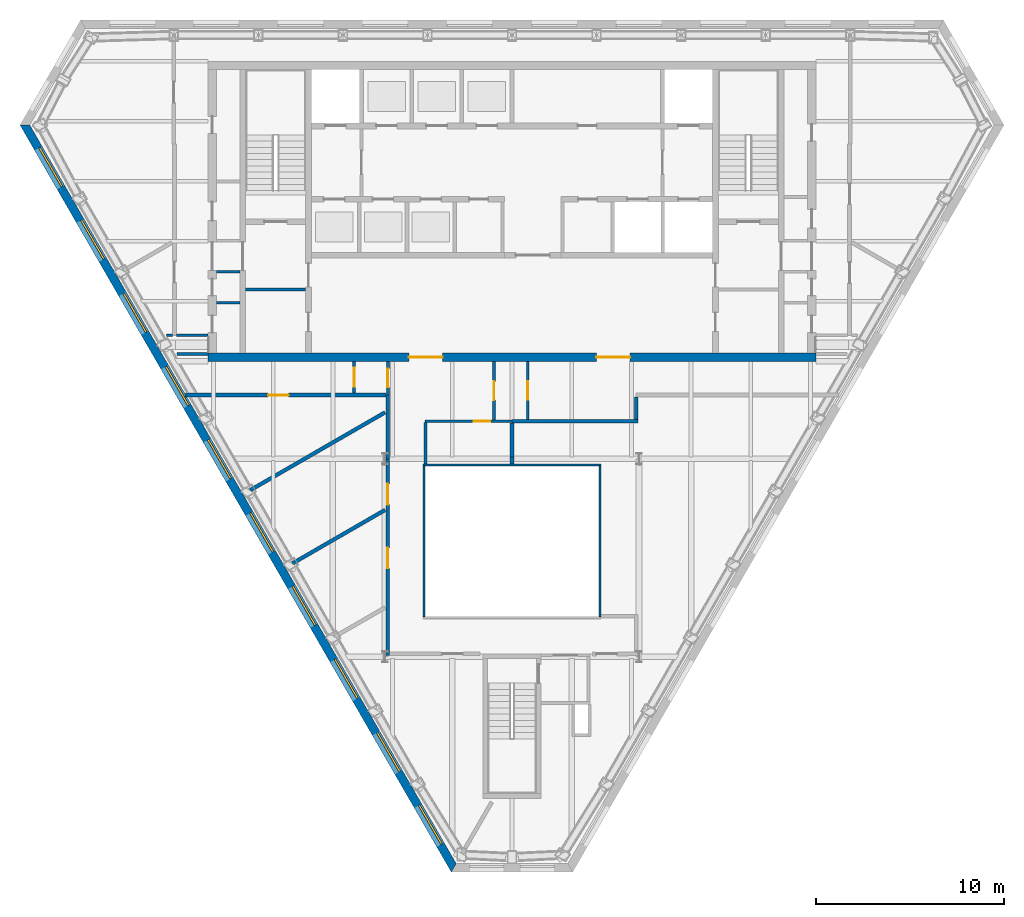
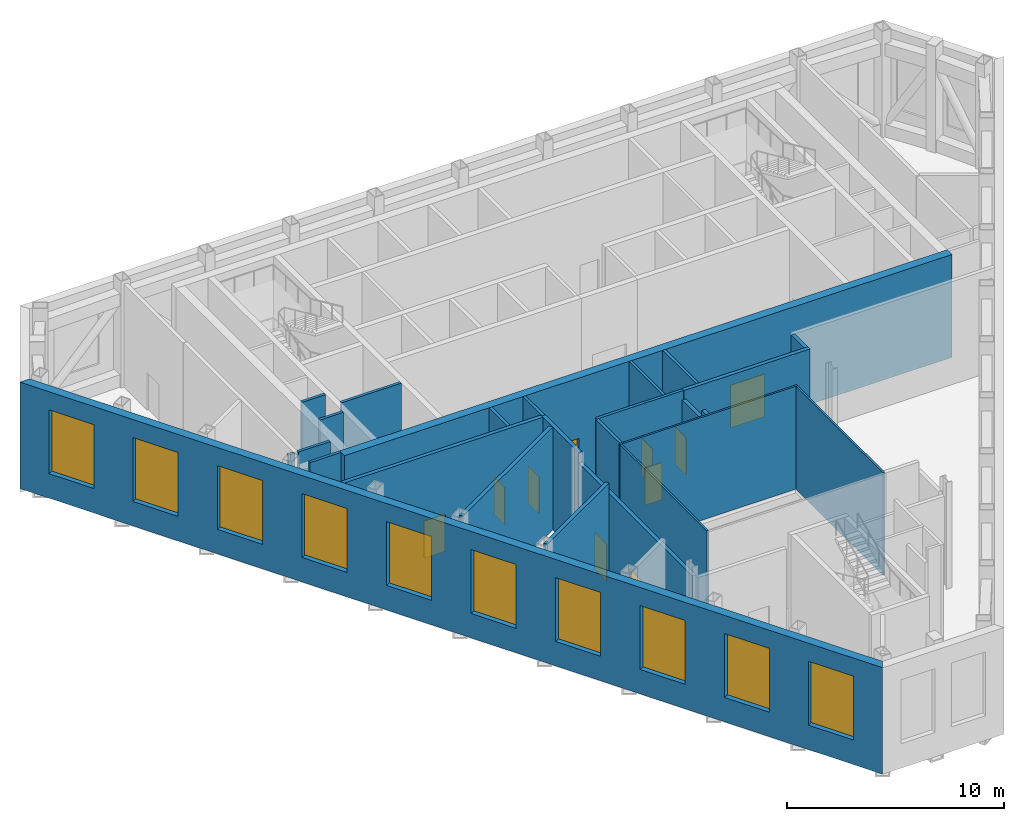
# One storey, part 7 of 14: 26 walls, 10 doors, 10 shading devices, 20 openings.
"""IFC4 building model written with IfcOpenShell, lengths in metres."""

from ifc_helpers import new_model, si_unit, direction, frame, frame_2d, origin, place, context, subcontext, project, spatial, polyline, rectangle, outline, extrude, material, layer, layer_set, type_object, element, fill, save


model = new_model("IFC4")

# Units and contexts
model_context = context("Model", 3, precision=1e-05, world=origin(), true_north=direction((0.0, 1.0)))
body_context = subcontext(model_context, "Body", "Model", "MODEL_VIEW")
ifc_project = project(units=[si_unit("LENGTHUNIT", "METRE"), si_unit("AREAUNIT", "SQUARE_METRE"), si_unit("VOLUMEUNIT", "CUBIC_METRE"), si_unit("PLANEANGLEUNIT", "RADIAN"), si_unit("MASSUNIT", "GRAM", prefix="KILO")], contexts=[model_context])

# Site, building, storey
site_placement = place(None, origin())
site = spatial("IfcSite", under=ifc_project, at=site_placement, CompositionType="ELEMENT")
building_placement = place(site_placement, origin())
building = spatial("IfcBuilding", under=site, at=building_placement, Name="Njiva Tower", CompositionType="ELEMENT")
storey_placement = place(building_placement, frame((0.0, 0.0, 239.4)))
storey = spatial("IfcBuildingStorey", under=building, at=storey_placement, Name="L54", CompositionType="ELEMENT", Elevation=239.4)

# Wall
ifc_material_1 = material(Name="Blockwork", Category="masonry")
ifc_layer_1 = layer(ifc_material_1, 0.15)
ifc_layer_set_1 = layer_set([ifc_layer_1], Name="Blockwork")
wall_type_1 = type_object("IfcWallType", Name="WT1 Compartment partition 150", PredefinedType="PARTITIONING", material=ifc_layer_set_1)
wall_1_placement = place(storey_placement, frame((-14.2, 5.825, 0.0), z_axis=(0.0, 0.0, 1.0), x_axis=(1.0, 0.0, 0.0)))
element("IfcWall", 1, at=wall_1_placement, inside=storey, type_object=wall_type_1, Name="Room wall A", PredefinedType="PARTITIONING", context=body_context, shape_type="SweptSolid", body=[
    extrude(rectangle(XDim=3.2, YDim=0.15, at=frame_2d((1.6, 0.0))), origin(), (0.0, 0.0, 1.0), 5.8),
])

# Wall, openings, doors
ifc_material_2 = material(Name="Concrete C60/75", Category="concrete")
ifc_layer_2 = layer(ifc_material_2, 0.45)
ifc_layer_set_2 = layer_set([ifc_layer_2], Name="Concrete C60/75")
wall_type_2 = type_object("IfcWallType", Name="WT12 Core wall 450", PredefinedType="SHEAR", material=ifc_layer_set_2)
wall_2_placement = place(storey_placement, frame((-16.2, 2.225, 0.0), z_axis=(0.0, 0.0, 1.0), x_axis=(1.0, 0.0, 0.0)))
wall_2 = element("IfcWall", 2, at=wall_2_placement, inside=storey, type_object=wall_type_2, Name="Core wall south", PredefinedType="SHEAR", context=body_context, shape_type="SweptSolid", body=[
    extrude(rectangle(XDim=32.4, YDim=0.45, at=frame_2d((16.2, 0.0))), origin(), (0.0, 0.0, 1.0), 5.8),
])
opening_1_placement = place(wall_2_placement, frame((10.7, 0.0, 0.0)))
opening_1 = element("IfcOpeningElement", 3, at=opening_1_placement, cuts=wall_2, Name="Opening T4-D935", PredefinedType="OPENING", context=body_context, shape_type="SweptSolid", body=[
    extrude(rectangle(XDim=1.8, YDim=2.4, at=frame_2d((0.9, 1.2))), frame((0.0, 0.235, 0.0), z_axis=(0.0, -1.0, 0.0), x_axis=(1.0, 0.0, 0.0)), (0.0, 0.0, 1.0), 0.47),
])
opening_2_placement = place(wall_2_placement, frame((20.7, 0.0, 0.0)))
opening_2 = element("IfcOpeningElement", 4, at=opening_2_placement, cuts=wall_2, Name="Opening T4-D936", PredefinedType="OPENING", context=body_context, shape_type="SweptSolid", body=[
    extrude(rectangle(XDim=1.8, YDim=2.4, at=frame_2d((0.9, 1.2))), frame((0.0, 0.235, 0.0), z_axis=(0.0, -1.0, 0.0), x_axis=(1.0, 0.0, 0.0)), (0.0, 0.0, 1.0), 0.47),
])
ifc_material_3 = material(Name="Steel and glass door", Category="steel")
door_type_1 = type_object("IfcDoorType", Name="D3 Core entrance door 1800x2400", OperationType="DOUBLE_DOOR_SINGLE_SWING", PredefinedType="DOOR", material=ifc_material_3)
door_1_placement = place(opening_1_placement, origin())
door_1 = element("IfcDoor", 5, at=door_1_placement, inside=storey, type_object=door_type_1, Name="Core entrance door", OperationType="DOUBLE_DOOR_SINGLE_SWING", OverallHeight=2.4, OverallWidth=1.8, PredefinedType="DOOR", context=body_context, shape_type="SweptSolid", body=[
    extrude(rectangle(XDim=1.8, YDim=2.4, at=frame_2d((0.9, 1.2))), frame((0.0, 0.025, 0.0), z_axis=(0.0, -1.0, 0.0), x_axis=(1.0, 0.0, 0.0)), (0.0, 0.0, 1.0), 0.05),
])
fill(opening_1, door_1)
door_2_placement = place(opening_2_placement, origin())
door_2 = element("IfcDoor", 6, at=door_2_placement, inside=storey, type_object=door_type_1, Name="Core entrance door", OperationType="DOUBLE_DOOR_SINGLE_SWING", OverallHeight=2.4, OverallWidth=1.8, PredefinedType="DOOR", context=body_context, shape_type="SweptSolid", body=[
    extrude(rectangle(XDim=1.8, YDim=2.4, at=frame_2d((0.9, 1.2))), frame((0.0, 0.025, 0.0), z_axis=(0.0, -1.0, 0.0), x_axis=(1.0, 0.0, 0.0)), (0.0, 0.0, 1.0), 0.05),
])
fill(opening_2, door_2)

# Walls
ifc_material_4 = material(Name="Gypsum board on steel studs", Category="gypsum")
ifc_layer_3 = layer(ifc_material_4, 0.15)
ifc_layer_set_3 = layer_set([ifc_layer_3], Name="Gypsum board on steel studs")
wall_type_3 = type_object("IfcWallType", Name="WT21 Compartment wall 150", PredefinedType="PARTITIONING", material=ifc_layer_set_3)
wall_3_placement = place(storey_placement, frame((-18.434, 3.386, 0.0), z_axis=(0.0, 0.0, 1.0), x_axis=(1.0, 0.0, 0.0)))
element("IfcWall", 7, at=wall_3_placement, inside=storey, type_object=wall_type_3, Name="Partition T4-P002", PredefinedType="PARTITIONING", context=body_context, shape_type="SweptSolid", body=[
    extrude(rectangle(XDim=0.334, YDim=0.15, at=frame_2d((0.167, 0.0))), origin(), (0.0, 0.0, 1.0), 5.8),
])
wall_4_placement = place(storey_placement, frame((-17.9, 3.386, 0.0), z_axis=(0.0, 0.0, 1.0), x_axis=(1.0, 0.0, 0.0)))
element("IfcWall", 8, at=wall_4_placement, inside=storey, type_object=wall_type_3, Name="Partition T4-P005", PredefinedType="PARTITIONING", context=body_context, shape_type="SweptSolid", body=[
    extrude(rectangle(XDim=1.7, YDim=0.15, at=frame_2d((0.85, 0.0))), origin(), (0.0, 0.0, 1.0), 5.8),
])
wall_5_placement = place(storey_placement, frame((-17.857, 2.386, 0.0), z_axis=(0.0, 0.0, 1.0), x_axis=(1.0, 0.0, 0.0)))
element("IfcWall", 9, at=wall_5_placement, inside=storey, type_object=wall_type_3, Name="Partition T4-P006", PredefinedType="PARTITIONING", context=body_context, shape_type="SweptSolid", body=[
    extrude(rectangle(XDim=1.657, YDim=0.15, at=frame_2d((0.8285, 0.0))), origin(), (0.0, 0.0, 1.0), 5.8),
])

# Wall, opening, door
wall_6_placement = place(storey_placement, frame((-8.42, 0.3, 0.0), z_axis=(0.0, 0.0, 1.0), x_axis=(0.0, 1.0, 0.0)))
wall_6 = element("IfcWall", 10, at=wall_6_placement, inside=storey, type_object=wall_type_3, Name="Partition T4-P011", PredefinedType="PARTITIONING", context=body_context, shape_type="SweptSolid", body=[
    extrude(rectangle(XDim=1.7, YDim=0.15, at=frame_2d((0.85, 0.0))), origin(), (0.0, 0.0, 1.0), 5.8),
])
opening_3_placement = place(wall_6_placement, frame((0.35, 0.0, 0.0)))
opening_3 = element("IfcOpeningElement", 11, at=opening_3_placement, cuts=wall_6, Name="Opening T4-D004", PredefinedType="OPENING", context=body_context, shape_type="SweptSolid", body=[
    extrude(rectangle(XDim=1.0, YDim=2.1, at=frame_2d((0.5, 1.05))), frame((0.0, 0.085, 0.0), z_axis=(0.0, -1.0, 0.0), x_axis=(1.0, 0.0, 0.0)), (0.0, 0.0, 1.0), 0.17),
])
ifc_material_5 = material(Name="Steel fire door set", Category="steel")
door_type_2 = type_object("IfcDoorType", Name="D37 Fire door 1000x2100", OperationType="SINGLE_SWING_LEFT", PredefinedType="DOOR", material=ifc_material_5)
door_3_placement = place(opening_3_placement, origin())
door_3 = element("IfcDoor", 12, at=door_3_placement, inside=storey, type_object=door_type_2, Name="Door T4-D004", OperationType="SINGLE_SWING_RIGHT", OverallHeight=2.1, OverallWidth=1.0, PredefinedType="DOOR", context=body_context, shape_type="SweptSolid", body=[
    extrude(rectangle(XDim=1.0, YDim=2.1, at=frame_2d((0.5, 1.05))), frame((0.0, 0.025, 0.0), z_axis=(0.0, -1.0, 0.0), x_axis=(1.0, 0.0, 0.0)), (0.0, 0.0, 1.0), 0.05),
])
fill(opening_3, door_3)

wall_7_placement = place(storey_placement, frame((-6.62, 0.211, 0.0), z_axis=(0.0, 0.0, 1.0), x_axis=(0.0, 1.0, 0.0)))
wall_7 = element("IfcWall", 13, at=wall_7_placement, inside=storey, type_object=wall_type_3, Name="Partition T4-P013", PredefinedType="PARTITIONING", context=body_context, shape_type="SweptSolid", body=[
    extrude(rectangle(XDim=1.789, YDim=0.15, at=frame_2d((0.8945, 0.0))), origin(), (0.0, 0.0, 1.0), 5.8),
])
opening_4_placement = place(wall_7_placement, frame((0.394, 0.0, 0.0)))
opening_4 = element("IfcOpeningElement", 14, at=opening_4_placement, cuts=wall_7, Name="Opening T4-D007", PredefinedType="OPENING", context=body_context, shape_type="SweptSolid", body=[
    extrude(rectangle(XDim=1.0, YDim=2.1, at=frame_2d((0.5, 1.05))), frame((0.0, 0.085, 0.0), z_axis=(0.0, -1.0, 0.0), x_axis=(1.0, 0.0, 0.0)), (0.0, 0.0, 1.0), 0.17),
])
door_4_placement = place(opening_4_placement, origin())
door_4 = element("IfcDoor", 15, at=door_4_placement, inside=storey, type_object=door_type_2, Name="Door T4-D007", OperationType="SINGLE_SWING_RIGHT", OverallHeight=2.1, OverallWidth=1.0, PredefinedType="DOOR", context=body_context, shape_type="SweptSolid", body=[
    extrude(rectangle(XDim=1.0, YDim=2.1, at=frame_2d((0.5, 1.05))), frame((0.0, 0.025, 0.0), z_axis=(0.0, -1.0, 0.0), x_axis=(1.0, 0.0, 0.0)), (0.0, 0.0, 1.0), 0.05),
])
fill(opening_4, door_4)

wall_8_placement = place(storey_placement, frame((-0.96, -1.125, 0.0), z_axis=(0.0, 0.0, 1.0), x_axis=(0.0, 1.0, 0.0)))
wall_8 = element("IfcWall", 16, at=wall_8_placement, inside=storey, type_object=wall_type_3, Name="Partition T4-P018", PredefinedType="PARTITIONING", context=body_context, shape_type="SweptSolid", body=[
    extrude(rectangle(XDim=3.125, YDim=0.15, at=frame_2d((1.5625, 0.0))), origin(), (0.0, 0.0, 1.0), 5.8),
])
opening_5_placement = place(wall_8_placement, frame((1.062, 0.0, 0.0)))
opening_5 = element("IfcOpeningElement", 17, at=opening_5_placement, cuts=wall_8, Name="Opening T4-D010", PredefinedType="OPENING", context=body_context, shape_type="SweptSolid", body=[
    extrude(rectangle(XDim=1.0, YDim=2.1, at=frame_2d((0.5, 1.05))), frame((0.0, 0.085, 0.0), z_axis=(0.0, -1.0, 0.0), x_axis=(1.0, 0.0, 0.0)), (0.0, 0.0, 1.0), 0.17),
])
door_5_placement = place(opening_5_placement, origin())
door_5 = element("IfcDoor", 18, at=door_5_placement, inside=storey, type_object=door_type_2, Name="Door T4-D010", OperationType="SINGLE_SWING_RIGHT", OverallHeight=2.1, OverallWidth=1.0, PredefinedType="DOOR", context=body_context, shape_type="SweptSolid", body=[
    extrude(rectangle(XDim=1.0, YDim=2.1, at=frame_2d((0.5, 1.05))), frame((0.0, 0.025, 0.0), z_axis=(0.0, -1.0, 0.0), x_axis=(1.0, 0.0, 0.0)), (0.0, 0.0, 1.0), 0.05),
])
fill(opening_5, door_5)

wall_9_placement = place(storey_placement, frame((0.84, -1.1, 0.0), z_axis=(0.0, 0.0, 1.0), x_axis=(0.0, 1.0, 0.0)))
wall_9 = element("IfcWall", 19, at=wall_9_placement, inside=storey, type_object=wall_type_3, Name="Partition T4-P021", PredefinedType="PARTITIONING", context=body_context, shape_type="SweptSolid", body=[
    extrude(rectangle(XDim=3.1, YDim=0.15, at=frame_2d((1.55, 0.0))), origin(), (0.0, 0.0, 1.0), 5.8),
])
opening_6_placement = place(wall_9_placement, frame((1.05, 0.0, 0.0)))
opening_6 = element("IfcOpeningElement", 20, at=opening_6_placement, cuts=wall_9, Name="Opening T4-D011", PredefinedType="OPENING", context=body_context, shape_type="SweptSolid", body=[
    extrude(rectangle(XDim=1.0, YDim=2.1, at=frame_2d((0.5, 1.05))), frame((0.0, 0.085, 0.0), z_axis=(0.0, -1.0, 0.0), x_axis=(1.0, 0.0, 0.0)), (0.0, 0.0, 1.0), 0.17),
])
door_6_placement = place(opening_6_placement, origin())
door_6 = element("IfcDoor", 21, at=door_6_placement, inside=storey, type_object=door_type_2, Name="Door T4-D011", OperationType="SINGLE_SWING_RIGHT", OverallHeight=2.1, OverallWidth=1.0, PredefinedType="DOOR", context=body_context, shape_type="SweptSolid", body=[
    extrude(rectangle(XDim=1.0, YDim=2.1, at=frame_2d((0.5, 1.05))), frame((0.0, 0.025, 0.0), z_axis=(0.0, -1.0, 0.0), x_axis=(1.0, 0.0, 0.0)), (0.0, 0.0, 1.0), 0.05),
])
fill(opening_6, door_6)

ifc_layer_4 = layer(ifc_material_1, 0.2)
ifc_layer_set_4 = layer_set([ifc_layer_4], Name="Blockwork")
wall_type_4 = type_object("IfcWallType", Name="WT22 Plant room wall 200", PredefinedType="PARTITIONING", material=ifc_layer_set_4)
wall_10_placement = place(storey_placement, frame((-17.403, 0.2, 0.0), z_axis=(0.0, 0.0, 1.0), x_axis=(1.0, 0.0, 0.0)))
wall_10 = element("IfcWall", 22, at=wall_10_placement, inside=storey, type_object=wall_type_4, Name="Partition T4-P007", PredefinedType="PARTITIONING", context=body_context, shape_type="SweptSolid", body=[
    extrude(rectangle(XDim=10.683, YDim=0.2, at=frame_2d((5.3415, 0.0))), origin(), (0.0, 0.0, 1.0), 5.8),
])
opening_7_placement = place(wall_10_placement, frame((4.393, 0.0, 0.0)))
opening_7 = element("IfcOpeningElement", 23, at=opening_7_placement, cuts=wall_10, Name="Opening T4-D003", PredefinedType="OPENING", context=body_context, shape_type="SweptSolid", body=[
    extrude(rectangle(XDim=1.1, YDim=2.1, at=frame_2d((0.55, 1.05))), frame((0.0, 0.11, 0.0), z_axis=(0.0, -1.0, 0.0), x_axis=(1.0, 0.0, 0.0)), (0.0, 0.0, 1.0), 0.22),
])
ifc_material_6 = material(Name="Steel door set", Category="steel")
door_type_3 = type_object("IfcDoorType", Name="D39 Emergency power room door 1100x2100", OperationType="SINGLE_SWING_LEFT", PredefinedType="DOOR", material=ifc_material_6)
door_7_placement = place(opening_7_placement, origin())
door_7 = element("IfcDoor", 24, at=door_7_placement, inside=storey, type_object=door_type_3, Name="Door T4-D003", OperationType="SINGLE_SWING_LEFT", OverallHeight=2.1, OverallWidth=1.1, PredefinedType="DOOR", context=body_context, shape_type="SweptSolid", body=[
    extrude(rectangle(XDim=1.1, YDim=2.1, at=frame_2d((0.55, 1.05))), frame((0.0, 0.025, 0.0), z_axis=(0.0, -1.0, 0.0), x_axis=(1.0, 0.0, 0.0)), (0.0, 0.0, 1.0), 0.05),
])
fill(opening_7, door_7)

# Walls
wall_11_placement = place(storey_placement, frame((-13.956, -4.872, 0.0), z_axis=(0.0, 0.0, 1.0), x_axis=(0.866069187523, 0.499924156672, 0.0)))
element("IfcWall", 25, at=wall_11_placement, inside=storey, type_object=wall_type_4, Name="Partition T4-P008", PredefinedType="PARTITIONING", context=body_context, shape_type="SweptSolid", body=[
    extrude(rectangle(XDim=8.2973, YDim=0.2, at=frame_2d((4.1486, 0.0))), origin(), (0.0, 0.0, 1.0), 5.8),
])
wall_12_placement = place(storey_placement, frame((-11.702, -8.775, 0.0), z_axis=(0.0, 0.0, 1.0), x_axis=(0.866062775822, 0.499935264145, 0.0)))
element("IfcWall", 26, at=wall_12_placement, inside=storey, type_object=wall_type_4, Name="Partition T4-P009", PredefinedType="PARTITIONING", context=body_context, shape_type="SweptSolid", body=[
    extrude(rectangle(XDim=5.6947, YDim=0.2, at=frame_2d((2.8474, 0.0))), origin(), (0.0, 0.0, 1.0), 5.8),
])

# Wall, openings, doors
wall_13_placement = place(storey_placement, frame((-6.62, -13.7, 0.0), z_axis=(0.0, 0.0, 1.0), x_axis=(0.0, 1.0, 0.0)))
wall_13 = element("IfcWall", 27, at=wall_13_placement, inside=storey, type_object=wall_type_4, Name="Partition T4-P012", PredefinedType="PARTITIONING", context=body_context, shape_type="SweptSolid", body=[
    extrude(rectangle(XDim=10.5, YDim=0.2, at=frame_2d((5.25, 0.0))), origin(), (0.0, 0.0, 1.0), 5.21),
])
opening_8_placement = place(wall_13_placement, frame((4.656, 0.0, 0.0)))
opening_8 = element("IfcOpeningElement", 28, at=opening_8_placement, cuts=wall_13, Name="Opening T4-D005", PredefinedType="OPENING", context=body_context, shape_type="SweptSolid", body=[
    extrude(rectangle(XDim=1.1, YDim=2.1, at=frame_2d((0.55, 1.05))), frame((0.0, 0.11, 0.0), z_axis=(0.0, -1.0, 0.0), x_axis=(1.0, 0.0, 0.0)), (0.0, 0.0, 1.0), 0.22),
])
opening_9_placement = place(wall_13_placement, frame((8.059, 0.0, 0.0)))
opening_9 = element("IfcOpeningElement", 29, at=opening_9_placement, cuts=wall_13, Name="Opening T4-D006", PredefinedType="OPENING", context=body_context, shape_type="SweptSolid", body=[
    extrude(rectangle(XDim=1.1, YDim=2.1, at=frame_2d((0.55, 1.05))), frame((0.0, 0.11, 0.0), z_axis=(0.0, -1.0, 0.0), x_axis=(1.0, 0.0, 0.0)), (0.0, 0.0, 1.0), 0.22),
])
door_type_4 = type_object("IfcDoorType", Name="D34 Plant door 1100x2100", OperationType="SINGLE_SWING_LEFT", PredefinedType="DOOR", material=ifc_material_6)
door_8_placement = place(opening_8_placement, origin())
door_8 = element("IfcDoor", 30, at=door_8_placement, inside=storey, type_object=door_type_4, Name="Door T4-D005", OperationType="SINGLE_SWING_RIGHT", OverallHeight=2.1, OverallWidth=1.1, PredefinedType="DOOR", context=body_context, shape_type="SweptSolid", body=[
    extrude(rectangle(XDim=1.1, YDim=2.1, at=frame_2d((0.55, 1.05))), frame((0.0, 0.025, 0.0), z_axis=(0.0, -1.0, 0.0), x_axis=(1.0, 0.0, 0.0)), (0.0, 0.0, 1.0), 0.05),
])
fill(opening_8, door_8)
door_9_placement = place(opening_9_placement, origin())
door_9 = element("IfcDoor", 31, at=door_9_placement, inside=storey, type_object=door_type_4, Name="Door T4-D006", OperationType="SINGLE_SWING_LEFT", OverallHeight=2.1, OverallWidth=1.1, PredefinedType="DOOR", context=body_context, shape_type="SweptSolid", body=[
    extrude(rectangle(XDim=1.1, YDim=2.1, at=frame_2d((0.55, 1.05))), frame((0.0, 0.025, 0.0), z_axis=(0.0, -1.0, 0.0), x_axis=(1.0, 0.0, 0.0)), (0.0, 0.0, 1.0), 0.05),
])
fill(opening_9, door_9)

# Walls
wall_14_placement = place(storey_placement, frame((-6.62, -3.2, 0.0), z_axis=(0.0, 0.0, 1.0), x_axis=(0.0, 1.0, 0.0)))
element("IfcWall", 32, at=wall_14_placement, inside=storey, type_object=wall_type_4, Name="Partition T4-P012A", PredefinedType="PARTITIONING", context=body_context, shape_type="SweptSolid", body=[
    extrude(rectangle(XDim=3.411, YDim=0.2, at=frame_2d((1.7055, 0.0))), origin(), (0.0, 0.0, 1.0), 5.8),
])
wall_15_placement = place(storey_placement, frame((-0.011, -1.2, 0.0), z_axis=(0.0, 0.0, 1.0), x_axis=(1.0, 0.0, 0.0)))
element("IfcWall", 33, at=wall_15_placement, inside=storey, type_object=wall_type_4, Name="Partition T4-P019", PredefinedType="PARTITIONING", context=body_context, shape_type="SweptSolid", body=[
    extrude(rectangle(XDim=6.731, YDim=0.2, at=frame_2d((3.3655, 0.0))), origin(), (0.0, 0.0, 1.0), 5.8),
])
wall_16_placement = place(storey_placement, frame((-0.001, -3.48, 0.0), z_axis=(0.0, 0.0, 1.0), x_axis=(0.000526315717, 0.999999861496, 0.0)))
element("IfcWall", 34, at=wall_16_placement, inside=storey, type_object=wall_type_4, Name="Partition T4-P020", PredefinedType="PARTITIONING", context=body_context, shape_type="SweptSolid", body=[
    extrude(rectangle(XDim=0.38, YDim=0.2, at=frame_2d((0.19, 0.0))), origin(), (0.0, 0.0, 1.0), 5.8),
])
wall_17_placement = place(storey_placement, frame((-0.0008, -3.1, 0.0), z_axis=(0.0, 0.0, 1.0), x_axis=(0.000444444401, 0.999999901235, 0.0)))
element("IfcWall", 35, at=wall_17_placement, inside=storey, type_object=wall_type_4, Name="Partition T4-P020A", PredefinedType="PARTITIONING", context=body_context, shape_type="SweptSolid", body=[
    extrude(rectangle(XDim=1.8, YDim=0.2, at=frame_2d((0.9, 0.0))), origin(), (0.0, 0.0, 1.0), 5.3),
])
wall_18_placement = place(storey_placement, frame((6.62, -1.1, 0.0), z_axis=(0.0, 0.0, 1.0), x_axis=(0.0, 1.0, 0.0)))
element("IfcWall", 36, at=wall_18_placement, inside=storey, type_object=wall_type_4, Name="Partition T4-P025", PredefinedType="PARTITIONING", context=body_context, shape_type="SweptSolid", body=[
    extrude(rectangle(XDim=1.2, YDim=0.2, at=frame_2d((0.6, 0.0))), origin(), (0.0, 0.0, 1.0), 5.8),
])

# Wall, opening, door
ifc_layer_5 = layer(ifc_material_4, 0.15)
ifc_layer_set_5 = layer_set([ifc_layer_5], Name="Gypsum board on steel studs")
wall_type_5 = type_object("IfcWallType", Name="WT24 Riser room wall 150", PredefinedType="PARTITIONING", material=ifc_layer_set_5)
wall_19_placement = place(storey_placement, frame((-4.631, -1.2, 0.0), z_axis=(0.0, 0.0, 1.0), x_axis=(1.0, 0.0, 0.0)))
wall_19 = element("IfcWall", 37, at=wall_19_placement, inside=storey, type_object=wall_type_5, Name="Partition T4-P015", PredefinedType="PARTITIONING", context=body_context, shape_type="SweptSolid", body=[
    extrude(rectangle(XDim=4.62, YDim=0.15, at=frame_2d((2.31, 0.0))), origin(), (0.0, 0.0, 1.0), 5.8),
])
opening_10_placement = place(wall_19_placement, frame((2.583, 0.0, 0.0)))
opening_10 = element("IfcOpeningElement", 38, at=opening_10_placement, cuts=wall_19, Name="Opening T4-D009", PredefinedType="OPENING", context=body_context, shape_type="SweptSolid", body=[
    extrude(rectangle(XDim=0.9, YDim=2.1, at=frame_2d((0.45, 1.05))), frame((0.0, 0.085, 0.0), z_axis=(0.0, -1.0, 0.0), x_axis=(1.0, 0.0, 0.0)), (0.0, 0.0, 1.0), 0.17),
])
door_type_5 = type_object("IfcDoorType", Name="D36 Fire door 900x2100", OperationType="SINGLE_SWING_LEFT", PredefinedType="DOOR", material=ifc_material_5)
door_10_placement = place(opening_10_placement, origin())
door_10 = element("IfcDoor", 39, at=door_10_placement, inside=storey, type_object=door_type_5, Name="Door T4-D009", OperationType="SINGLE_SWING_RIGHT", OverallHeight=2.1, OverallWidth=0.9, PredefinedType="DOOR", context=body_context, shape_type="SweptSolid", body=[
    extrude(rectangle(XDim=0.9, YDim=2.1, at=frame_2d((0.45, 1.05))), frame((0.0, 0.025, 0.0), z_axis=(0.0, -1.0, 0.0), x_axis=(1.0, 0.0, 0.0)), (0.0, 0.0, 1.0), 0.05),
])
fill(opening_10, door_10)

# Walls
wall_20_placement = place(storey_placement, frame((-4.62, -3.48, 0.0), z_axis=(0.0, 0.0, 1.0), x_axis=(0.000453514693, 0.999999897162, 0.0)))
element("IfcWall", 40, at=wall_20_placement, inside=storey, type_object=wall_type_5, Name="Partition T4-P016", PredefinedType="PARTITIONING", context=body_context, shape_type="SweptSolid", body=[
    extrude(rectangle(XDim=2.205, YDim=0.15, at=frame_2d((1.1025, 0.0))), origin(), (0.0, 0.0, 1.0), 5.8),
])
ifc_layer_6 = layer(ifc_material_1, 0.15)
ifc_layer_set_6 = layer_set([ifc_layer_6], Name="Blockwork")
wall_type_6 = type_object("IfcWallType", Name="WT3 Riser partition 150", PredefinedType="PARTITIONING", material=ifc_layer_set_6)
wall_21_placement = place(storey_placement, frame((-15.75, 5.125, 0.0), z_axis=(0.0, 0.0, 1.0), x_axis=(1.0, 0.0, 0.0)))
element("IfcWall", 41, at=wall_21_placement, inside=storey, type_object=wall_type_6, Name="Partition strip W00", PredefinedType="PARTITIONING", context=body_context, shape_type="SweptSolid", body=[
    extrude(rectangle(XDim=1.25, YDim=0.15, at=frame_2d((0.625, 0.0))), origin(), (0.0, 0.0, 1.0), 5.8),
])
ifc_layer_7 = layer(ifc_material_1, 0.15)
ifc_layer_set_7 = layer_set([ifc_layer_7], Name="Blockwork")
wall_type_7 = type_object("IfcWallType", Name="WT4 Stair partition 150", PredefinedType="PARTITIONING", material=ifc_layer_set_7)
wall_22_placement = place(storey_placement, frame((-15.75, 6.775, 0.0), z_axis=(0.0, 0.0, 1.0), x_axis=(1.0, 0.0, 0.0)))
element("IfcWall", 42, at=wall_22_placement, inside=storey, type_object=wall_type_7, Name="Stair A exit passage wall south", PredefinedType="PARTITIONING", context=body_context, shape_type="SweptSolid", body=[
    extrude(rectangle(XDim=1.25, YDim=0.15, at=frame_2d((0.625, 0.0))), origin(), (0.0, 0.0, 1.0), 5.8),
])

# Wall, openings, shading devices
ifc_material_7 = material(Name="Brick masonry, buff", Category="masonry")
ifc_layer_8 = layer(ifc_material_7, 0.45)
ifc_layer_set_8 = layer_set([ifc_layer_8], Name="Brick masonry, buff")
wall_type_8 = type_object("IfcWallType", Name="WT94 Brick pier and spandrel wall 450, buff", PredefinedType="SOLIDWALL", material=ifc_layer_set_8)
wall_23_placement = place(storey_placement, frame((-25.9752, 14.5968, -0.18), z_axis=(0.0, 0.0, 1.0), x_axis=(0.499999764979, -0.866025539474, 0.0)))
wall_23 = element("IfcWall", 43, at=wall_23_placement, inside=storey, type_object=wall_type_8, Name="Facade wall SW", PredefinedType="SOLIDWALL", context=body_context, shape_type="SweptSolid", body=[
    extrude(outline(polyline([(-0.1299, -0.225), (45.8701, -0.225), (45.6103, 0.225), (0.1299, 0.225), (-0.1299, -0.225)])), origin(), (0.0, 0.0, 1.0), 6.0),
])
opening_11_placement = place(wall_23_placement, frame((1.4242, 0.0, 1.38)))
opening_11 = element("IfcOpeningElement", 44, at=opening_11_placement, cuts=wall_23, Name="Opening T4-LV13", PredefinedType="OPENING", context=body_context, shape_type="SweptSolid", body=[
    extrude(rectangle(XDim=2.4, YDim=3.6, at=frame_2d((1.2, 1.8))), frame((0.0, 0.235, 0.0), z_axis=(0.0, -1.0, 0.0), x_axis=(1.0, 0.0, 0.0)), (0.0, 0.0, 1.0), 0.47),
])
opening_12_placement = place(wall_23_placement, frame((5.8934, 0.0, 1.38)))
opening_12 = element("IfcOpeningElement", 45, at=opening_12_placement, cuts=wall_23, Name="Opening T4-LV14", PredefinedType="OPENING", context=body_context, shape_type="SweptSolid", body=[
    extrude(rectangle(XDim=2.4, YDim=3.6, at=frame_2d((1.2, 1.8))), frame((0.0, 0.235, 0.0), z_axis=(0.0, -1.0, 0.0), x_axis=(1.0, 0.0, 0.0)), (0.0, 0.0, 1.0), 0.47),
])
opening_13_placement = place(wall_23_placement, frame((10.401, 0.0, 1.38)))
opening_13 = element("IfcOpeningElement", 46, at=opening_13_placement, cuts=wall_23, Name="Opening T4-LV15", PredefinedType="OPENING", context=body_context, shape_type="SweptSolid", body=[
    extrude(rectangle(XDim=2.4, YDim=3.6, at=frame_2d((1.2, 1.8))), frame((0.0, 0.235, 0.0), z_axis=(0.0, -1.0, 0.0), x_axis=(1.0, 0.0, 0.0)), (0.0, 0.0, 1.0), 0.47),
])
opening_14_placement = place(wall_23_placement, frame((14.9087, 0.0, 1.38)))
opening_14 = element("IfcOpeningElement", 47, at=opening_14_placement, cuts=wall_23, Name="Opening T4-LV16", PredefinedType="OPENING", context=body_context, shape_type="SweptSolid", body=[
    extrude(rectangle(XDim=2.4, YDim=3.6, at=frame_2d((1.2, 1.8))), frame((0.0, 0.235, 0.0), z_axis=(0.0, -1.0, 0.0), x_axis=(1.0, 0.0, 0.0)), (0.0, 0.0, 1.0), 0.47),
])
opening_15_placement = place(wall_23_placement, frame((19.4163, 0.0, 1.38)))
opening_15 = element("IfcOpeningElement", 48, at=opening_15_placement, cuts=wall_23, Name="Opening T4-LV17", PredefinedType="OPENING", context=body_context, shape_type="SweptSolid", body=[
    extrude(rectangle(XDim=2.4, YDim=3.6, at=frame_2d((1.2, 1.8))), frame((0.0, 0.235, 0.0), z_axis=(0.0, -1.0, 0.0), x_axis=(1.0, 0.0, 0.0)), (0.0, 0.0, 1.0), 0.47),
])
opening_16_placement = place(wall_23_placement, frame((23.9239, 0.0, 1.38)))
opening_16 = element("IfcOpeningElement", 49, at=opening_16_placement, cuts=wall_23, Name="Opening T4-LV18", PredefinedType="OPENING", context=body_context, shape_type="SweptSolid", body=[
    extrude(rectangle(XDim=2.4, YDim=3.6, at=frame_2d((1.2, 1.8))), frame((0.0, 0.235, 0.0), z_axis=(0.0, -1.0, 0.0), x_axis=(1.0, 0.0, 0.0)), (0.0, 0.0, 1.0), 0.47),
])
opening_17_placement = place(wall_23_placement, frame((28.4315, 0.0, 1.38)))
opening_17 = element("IfcOpeningElement", 50, at=opening_17_placement, cuts=wall_23, Name="Opening T4-LV19", PredefinedType="OPENING", context=body_context, shape_type="SweptSolid", body=[
    extrude(rectangle(XDim=2.4, YDim=3.6, at=frame_2d((1.2, 1.8))), frame((0.0, 0.235, 0.0), z_axis=(0.0, -1.0, 0.0), x_axis=(1.0, 0.0, 0.0)), (0.0, 0.0, 1.0), 0.47),
])
opening_18_placement = place(wall_23_placement, frame((32.9391, 0.0, 1.38)))
opening_18 = element("IfcOpeningElement", 51, at=opening_18_placement, cuts=wall_23, Name="Opening T4-LV20", PredefinedType="OPENING", context=body_context, shape_type="SweptSolid", body=[
    extrude(rectangle(XDim=2.4, YDim=3.6, at=frame_2d((1.2, 1.8))), frame((0.0, 0.235, 0.0), z_axis=(0.0, -1.0, 0.0), x_axis=(1.0, 0.0, 0.0)), (0.0, 0.0, 1.0), 0.47),
])
opening_19_placement = place(wall_23_placement, frame((37.4468, 0.0, 1.38)))
opening_19 = element("IfcOpeningElement", 52, at=opening_19_placement, cuts=wall_23, Name="Opening T4-LV21", PredefinedType="OPENING", context=body_context, shape_type="SweptSolid", body=[
    extrude(rectangle(XDim=2.4, YDim=3.6, at=frame_2d((1.2, 1.8))), frame((0.0, 0.235, 0.0), z_axis=(0.0, -1.0, 0.0), x_axis=(1.0, 0.0, 0.0)), (0.0, 0.0, 1.0), 0.47),
])
opening_20_placement = place(wall_23_placement, frame((41.916, 0.0, 1.38)))
opening_20 = element("IfcOpeningElement", 53, at=opening_20_placement, cuts=wall_23, Name="Opening T4-LV22", PredefinedType="OPENING", context=body_context, shape_type="SweptSolid", body=[
    extrude(rectangle(XDim=2.4, YDim=3.6, at=frame_2d((1.2, 1.8))), frame((0.0, 0.235, 0.0), z_axis=(0.0, -1.0, 0.0), x_axis=(1.0, 0.0, 0.0)), (0.0, 0.0, 1.0), 0.47),
])
ifc_material_8 = material(Name="Aluminium louvre blades", Category="aluminium")
shading_device_type = type_object("IfcShadingDeviceType", Name="LV1 Plant louvre 2400x3600", PredefinedType="JALOUSIE", material=ifc_material_8)
shading_device_1_placement = place(opening_11_placement, origin())
shading_device_1 = element("IfcShadingDevice", 54, at=shading_device_1_placement, inside=storey, type_object=shading_device_type, Name="Plant louvre", PredefinedType="JALOUSIE", context=body_context, shape_type="SweptSolid", body=[
    extrude(rectangle(XDim=2.4, YDim=3.6, at=frame_2d((1.2, 1.8))), frame((0.0, 0.125, 0.0), z_axis=(0.0, -1.0, 0.0), x_axis=(1.0, 0.0, 0.0)), (0.0, 0.0, 1.0), 0.1),
])
fill(opening_11, shading_device_1)
shading_device_2_placement = place(opening_12_placement, origin())
shading_device_2 = element("IfcShadingDevice", 55, at=shading_device_2_placement, inside=storey, type_object=shading_device_type, Name="Plant louvre", PredefinedType="JALOUSIE", context=body_context, shape_type="SweptSolid", body=[
    extrude(rectangle(XDim=2.4, YDim=3.6, at=frame_2d((1.2, 1.8))), frame((0.0, 0.125, 0.0), z_axis=(0.0, -1.0, 0.0), x_axis=(1.0, 0.0, 0.0)), (0.0, 0.0, 1.0), 0.1),
])
fill(opening_12, shading_device_2)
shading_device_3_placement = place(opening_13_placement, origin())
shading_device_3 = element("IfcShadingDevice", 56, at=shading_device_3_placement, inside=storey, type_object=shading_device_type, Name="Plant louvre", PredefinedType="JALOUSIE", context=body_context, shape_type="SweptSolid", body=[
    extrude(rectangle(XDim=2.4, YDim=3.6, at=frame_2d((1.2, 1.8))), frame((0.0, 0.125, 0.0), z_axis=(0.0, -1.0, 0.0), x_axis=(1.0, 0.0, 0.0)), (0.0, 0.0, 1.0), 0.1),
])
fill(opening_13, shading_device_3)
shading_device_4_placement = place(opening_14_placement, origin())
shading_device_4 = element("IfcShadingDevice", 57, at=shading_device_4_placement, inside=storey, type_object=shading_device_type, Name="Plant louvre", PredefinedType="JALOUSIE", context=body_context, shape_type="SweptSolid", body=[
    extrude(rectangle(XDim=2.4, YDim=3.6, at=frame_2d((1.2, 1.8))), frame((0.0, 0.125, 0.0), z_axis=(0.0, -1.0, 0.0), x_axis=(1.0, 0.0, 0.0)), (0.0, 0.0, 1.0), 0.1),
])
fill(opening_14, shading_device_4)
shading_device_5_placement = place(opening_15_placement, origin())
shading_device_5 = element("IfcShadingDevice", 58, at=shading_device_5_placement, inside=storey, type_object=shading_device_type, Name="Plant louvre", PredefinedType="JALOUSIE", context=body_context, shape_type="SweptSolid", body=[
    extrude(rectangle(XDim=2.4, YDim=3.6, at=frame_2d((1.2, 1.8))), frame((0.0, 0.125, 0.0), z_axis=(0.0, -1.0, 0.0), x_axis=(1.0, 0.0, 0.0)), (0.0, 0.0, 1.0), 0.1),
])
fill(opening_15, shading_device_5)
shading_device_6_placement = place(opening_16_placement, origin())
shading_device_6 = element("IfcShadingDevice", 59, at=shading_device_6_placement, inside=storey, type_object=shading_device_type, Name="Plant louvre", PredefinedType="JALOUSIE", context=body_context, shape_type="SweptSolid", body=[
    extrude(rectangle(XDim=2.4, YDim=3.6, at=frame_2d((1.2, 1.8))), frame((0.0, 0.125, 0.0), z_axis=(0.0, -1.0, 0.0), x_axis=(1.0, 0.0, 0.0)), (0.0, 0.0, 1.0), 0.1),
])
fill(opening_16, shading_device_6)
shading_device_7_placement = place(opening_17_placement, origin())
shading_device_7 = element("IfcShadingDevice", 60, at=shading_device_7_placement, inside=storey, type_object=shading_device_type, Name="Plant louvre", PredefinedType="JALOUSIE", context=body_context, shape_type="SweptSolid", body=[
    extrude(rectangle(XDim=2.4, YDim=3.6, at=frame_2d((1.2, 1.8))), frame((0.0, 0.125, 0.0), z_axis=(0.0, -1.0, 0.0), x_axis=(1.0, 0.0, 0.0)), (0.0, 0.0, 1.0), 0.1),
])
fill(opening_17, shading_device_7)
shading_device_8_placement = place(opening_18_placement, origin())
shading_device_8 = element("IfcShadingDevice", 61, at=shading_device_8_placement, inside=storey, type_object=shading_device_type, Name="Plant louvre", PredefinedType="JALOUSIE", context=body_context, shape_type="SweptSolid", body=[
    extrude(rectangle(XDim=2.4, YDim=3.6, at=frame_2d((1.2, 1.8))), frame((0.0, 0.125, 0.0), z_axis=(0.0, -1.0, 0.0), x_axis=(1.0, 0.0, 0.0)), (0.0, 0.0, 1.0), 0.1),
])
fill(opening_18, shading_device_8)
shading_device_9_placement = place(opening_19_placement, origin())
shading_device_9 = element("IfcShadingDevice", 62, at=shading_device_9_placement, inside=storey, type_object=shading_device_type, Name="Plant louvre", PredefinedType="JALOUSIE", context=body_context, shape_type="SweptSolid", body=[
    extrude(rectangle(XDim=2.4, YDim=3.6, at=frame_2d((1.2, 1.8))), frame((0.0, 0.125, 0.0), z_axis=(0.0, -1.0, 0.0), x_axis=(1.0, 0.0, 0.0)), (0.0, 0.0, 1.0), 0.1),
])
fill(opening_19, shading_device_9)
shading_device_10_placement = place(opening_20_placement, origin())
shading_device_10 = element("IfcShadingDevice", 63, at=shading_device_10_placement, inside=storey, type_object=shading_device_type, Name="Plant louvre", PredefinedType="JALOUSIE", context=body_context, shape_type="SweptSolid", body=[
    extrude(rectangle(XDim=2.4, YDim=3.6, at=frame_2d((1.2, 1.8))), frame((0.0, 0.125, 0.0), z_axis=(0.0, -1.0, 0.0), x_axis=(1.0, 0.0, 0.0)), (0.0, 0.0, 1.0), 0.1),
])
fill(opening_20, shading_device_10)

# Walls
ifc_material_9 = material(Name="Fire-resisting glazing EI 90", Category="glass")
ifc_layer_9 = layer(ifc_material_9, 0.1)
ifc_layer_set_9 = layer_set([ifc_layer_9], Name="Fire-resisting glazing EI 90")
wall_type_9 = type_object("IfcWallType", Name="WT95 Fire-resisting glazed screen EI 90", PredefinedType="PARTITIONING", material=ifc_layer_set_9)
wall_24_placement = place(storey_placement, frame((4.69, -11.62, 0.0), z_axis=(0.0, 0.0, 1.0), x_axis=(0.0, 1.0, 0.0)))
element("IfcWall", 64, at=wall_24_placement, inside=storey, type_object=wall_type_9, Name="Atrium fire screen east", PredefinedType="PARTITIONING", context=body_context, shape_type="SweptSolid", body=[
    extrude(rectangle(XDim=8.04, YDim=0.1, at=frame_2d((4.02, 0.0))), origin(), (0.0, 0.0, 1.0), 5.8),
])
wall_25_placement = place(storey_placement, frame((4.74, -3.53, 0.0), z_axis=(0.0, 0.0, 1.0), x_axis=(-1.0, 0.0, 0.0)))
element("IfcWall", 65, at=wall_25_placement, inside=storey, type_object=wall_type_9, Name="Atrium fire screen north", PredefinedType="PARTITIONING", context=body_context, shape_type="SweptSolid", body=[
    extrude(rectangle(XDim=9.48, YDim=0.1, at=frame_2d((4.74, 0.0))), origin(), (0.0, 0.0, 1.0), 5.8),
])
wall_26_placement = place(storey_placement, frame((-4.69, -3.58, 0.0), z_axis=(0.0, 0.0, 1.0), x_axis=(0.0, -1.0, 0.0)))
element("IfcWall", 66, at=wall_26_placement, inside=storey, type_object=wall_type_9, Name="Atrium fire screen west", PredefinedType="PARTITIONING", context=body_context, shape_type="SweptSolid", body=[
    extrude(rectangle(XDim=8.04, YDim=0.1, at=frame_2d((4.02, 0.0))), origin(), (0.0, 0.0, 1.0), 5.8),
])

save(model, "model.ifc")
